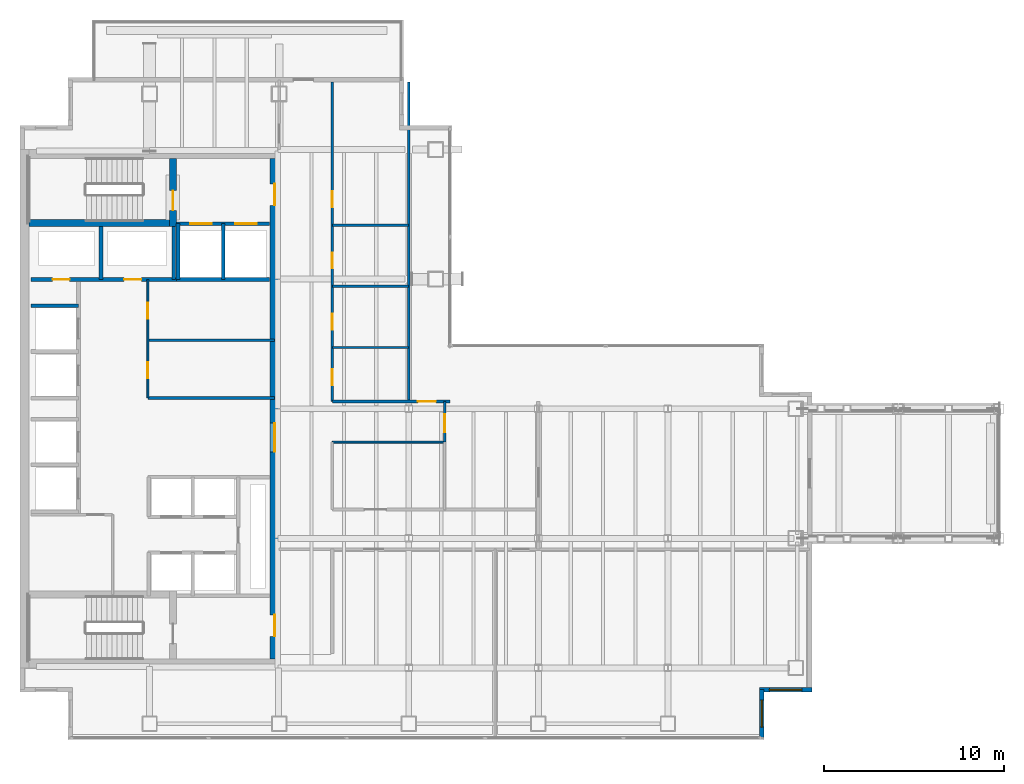
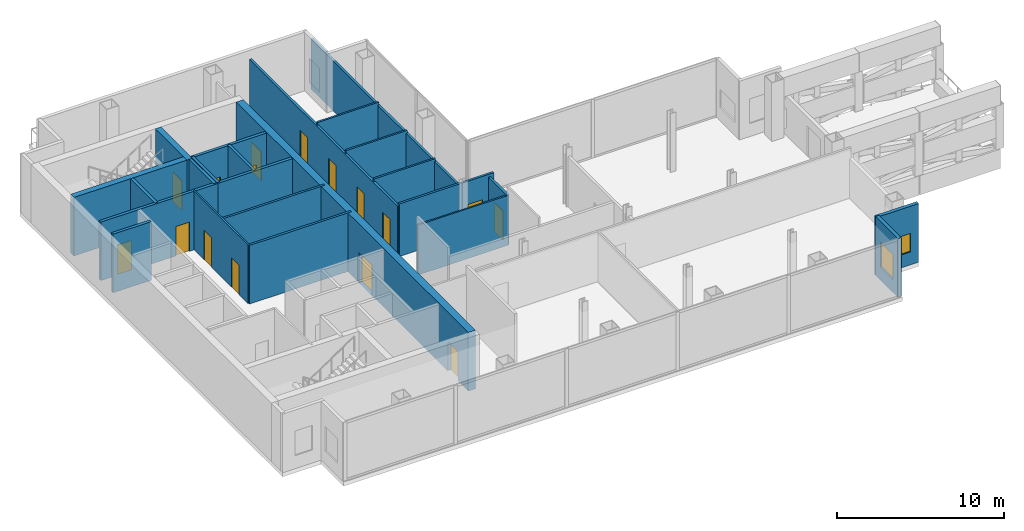
# One storey, part 17 of 20: 24 walls, 16 doors, 2 windows, 18 openings.
"""IFC4 building model written with IfcOpenShell, lengths in metres."""

from ifc_helpers import new_model, si_unit, direction, frame, frame_2d, origin, place, context, subcontext, project, spatial, rectangle, extrude, material, layer, layer_set, type_object, element, fill, save


model = new_model("IFC4")

# Units and contexts
model_context = context("Model", 3, precision=1e-05, world=origin(), true_north=direction((0.0, 1.0)))
body_context = subcontext(model_context, "Body", "Model", "MODEL_VIEW")
ifc_project = project(units=[si_unit("LENGTHUNIT", "METRE"), si_unit("AREAUNIT", "SQUARE_METRE"), si_unit("VOLUMEUNIT", "CUBIC_METRE"), si_unit("PLANEANGLEUNIT", "RADIAN"), si_unit("MASSUNIT", "GRAM", prefix="KILO")], contexts=[model_context])

# Site, building, storey
site_placement = place(None, origin())
site = spatial("IfcSite", under=ifc_project, at=site_placement, CompositionType="ELEMENT")
building_placement = place(site_placement, origin())
building = spatial("IfcBuilding", under=site, at=building_placement, Name="Cobrela Telecom Tower", CompositionType="ELEMENT")
storey_placement = place(building_placement, frame((0.0, 0.0, 168.699951171875)))
storey = spatial("IfcBuildingStorey", under=building, at=storey_placement, Name="L42", CompositionType="ELEMENT", Elevation=168.699951171875)

# Wall, openings, doors
ifc_material_1 = material(Name="Concrete C40/50", Category="concrete")
ifc_layer_1 = layer(ifc_material_1, 0.5)
ifc_layer_set_1 = layer_set([ifc_layer_1], Name="Concrete C40/50")
wall_type_1 = type_object("IfcWallType", Name="WALL-CORE-C40-500", PredefinedType="SHEAR", material=ifc_layer_set_1)
wall_1_placement = place(storey_placement, frame((14.14990234375, 35.5, 0.0), z_axis=(0.0, 0.0, 1.0), x_axis=(0.0, -1.0, 0.0)))
wall_1 = element("IfcWall", 1, at=wall_1_placement, inside=storey, type_object=wall_type_1, Name="L42 East Core Shear Wall", PredefinedType="SHEAR", context=body_context, shape_type="SweptSolid", body=[
    extrude(rectangle(XDim=27.800048828125, YDim=0.5, at=frame_2d((13.89990234375, 0.0))), origin(), (0.0, 0.0, 1.0), 4.2900390625),
])
opening_1_placement = place(wall_1_placement, frame((1.39990234375, 0.0, 0.0)))
opening_1 = element("IfcOpeningElement", 2, at=opening_1_placement, cuts=wall_1, Name="Opening DR-19", PredefinedType="OPENING", context=body_context, shape_type="SweptSolid", body=[
    extrude(rectangle(XDim=1.199951171875, YDim=2.14990234375, at=frame_2d((0.60009765625, 1.074951171875))), frame((0.0, 0.261962890625, 0.0), z_axis=(0.0, -1.0, 0.0), x_axis=(1.0, 0.0, 0.0)), (0.0, 0.0, 1.0), 0.52392578125),
])
opening_2_placement = place(wall_1_placement, frame((25.35009765625, 0.0, 0.0)))
opening_2 = element("IfcOpeningElement", 3, at=opening_2_placement, cuts=wall_1, Name="Opening DR-19", PredefinedType="OPENING", context=body_context, shape_type="SweptSolid", body=[
    extrude(rectangle(XDim=1.199951171875, YDim=2.14990234375, at=frame_2d((0.60009765625, 1.074951171875))), frame((0.0, 0.261962890625, 0.0), z_axis=(0.0, -1.0, 0.0), x_axis=(1.0, 0.0, 0.0)), (0.0, 0.0, 1.0), 0.52392578125),
])
opening_3_placement = place(wall_1_placement, frame((14.699951171875, 0.0, 0.0)))
opening_3 = element("IfcOpeningElement", 4, at=opening_3_placement, cuts=wall_1, Name="Opening DR-51", PredefinedType="OPENING", context=body_context, shape_type="SweptSolid", body=[
    extrude(rectangle(XDim=1.60009765625, YDim=2.199951171875, at=frame_2d((0.800048828125, 1.10009765625))), frame((0.0, 0.261962890625, 0.0), z_axis=(0.0, -1.0, 0.0), x_axis=(1.0, 0.0, 0.0)), (0.0, 0.0, 1.0), 0.52392578125),
])
ifc_material_2 = material(Name="Steel ASTM A36", Category="steel")
door_type_1 = type_object("IfcDoorType", Name="DOOR-FD60-1200", OperationType="SINGLE_SWING_LEFT", PredefinedType="DOOR", material=ifc_material_2)
door_1_placement = place(opening_1_placement, origin())
door_1 = element("IfcDoor", 5, at=door_1_placement, inside=storey, type_object=door_type_1, Name="L42 Door DR-19", OperationType="SINGLE_SWING_LEFT", OverallHeight=2.14990234375, OverallWidth=1.199951171875, PredefinedType="DOOR", context=body_context, shape_type="SweptSolid", body=[
    extrude(rectangle(XDim=1.199951171875, YDim=2.14990234375, at=frame_2d((0.60009765625, 1.074951171875))), frame((0.0, 0.02490234375, 0.0), z_axis=(0.0, -1.0, 0.0), x_axis=(1.0, 0.0, 0.0)), (0.0, 0.0, 1.0), 0.050048828125),
])
fill(opening_1, door_1)
door_2_placement = place(opening_2_placement, origin())
door_2 = element("IfcDoor", 6, at=door_2_placement, inside=storey, type_object=door_type_1, Name="L42 Door DR-19", OperationType="SINGLE_SWING_RIGHT", OverallHeight=2.14990234375, OverallWidth=1.199951171875, PredefinedType="DOOR", context=body_context, shape_type="SweptSolid", body=[
    extrude(rectangle(XDim=1.199951171875, YDim=2.14990234375, at=frame_2d((0.60009765625, 1.074951171875))), frame((0.0, 0.02490234375, 0.0), z_axis=(0.0, -1.0, 0.0), x_axis=(1.0, 0.0, 0.0)), (0.0, 0.0, 1.0), 0.050048828125),
])
fill(opening_2, door_2)
door_type_2 = type_object("IfcDoorType", Name="DOOR-FD60-1600", OperationType="SINGLE_SWING_LEFT", PredefinedType="DOOR", material=ifc_material_2)
door_3_placement = place(opening_3_placement, origin())
door_3 = element("IfcDoor", 7, at=door_3_placement, inside=storey, type_object=door_type_2, Name="L42 Door DR-51", OperationType="DOUBLE_DOOR_SINGLE_SWING", OverallHeight=2.199951171875, OverallWidth=1.60009765625, PredefinedType="DOOR", context=body_context, shape_type="SweptSolid", body=[
    extrude(rectangle(XDim=1.60009765625, YDim=2.199951171875, at=frame_2d((0.800048828125, 1.10009765625))), frame((0.0, 0.02490234375, 0.0), z_axis=(0.0, -1.0, 0.0), x_axis=(1.0, 0.0, 0.0)), (0.0, 0.0, 1.0), 0.050048828125),
])
fill(opening_3, door_3)

# Wall, opening, window
ifc_layer_2 = layer(ifc_material_1, 0.239990234375)
ifc_layer_set_2 = layer_set([ifc_layer_2], Name="Concrete C40/50")
wall_type_2 = type_object("IfcWallType", Name="WALL-EXT-300", PredefinedType="STANDARD", material=ifc_layer_set_2)
wall_2_placement = place(storey_placement, frame((44.0, 5.989990234375, 0.0), z_axis=(0.0, 0.0, 1.0), x_axis=(-1.0, 0.0, 0.0)))
wall_2 = element("IfcWall", 8, at=wall_2_placement, inside=storey, type_object=wall_type_2, Name="L42 Insulated Facade Wall 15", PredefinedType="STANDARD", context=body_context, shape_type="SweptSolid", body=[
    extrude(rectangle(XDim=2.909912109375, YDim=0.239990234375, at=frame_2d((1.455078125, 0.0))), origin(), (0.0, 0.0, 1.0), 4.2900390625),
])
opening_4_placement = place(wall_2_placement, frame((0.554931640625, 0.0, 0.949951171875)))
opening_4 = element("IfcOpeningElement", 9, at=opening_4_placement, cuts=wall_2, Name="Opening WN-27", PredefinedType="OPENING", context=body_context, shape_type="SweptSolid", body=[
    extrude(rectangle(XDim=1.800048828125, YDim=1.35009765625, at=frame_2d((0.89990234375, 0.675048828125))), frame((0.0, 0.1318359375, 0.0), z_axis=(0.0, -1.0, 0.0), x_axis=(1.0, 0.0, 0.0)), (0.0, 0.0, 1.0), 0.263916015625),
])
ifc_material_3 = material(Name="Solar-Control Bronze Low-E Glass", Category="glass")
window_type_1 = type_object("IfcWindowType", Name="WIN-CLER-1800", PartitioningType="SINGLE_PANEL", PredefinedType="WINDOW", material=ifc_material_3)
window_1_placement = place(opening_4_placement, origin())
window_1 = element("IfcWindow", 10, at=window_1_placement, inside=storey, type_object=window_type_1, Name="L42 Corner Notch Facade Window 207", OverallHeight=1.35009765625, OverallWidth=1.800048828125, PartitioningType="SINGLE_PANEL", PredefinedType="WINDOW", context=body_context, shape_type="SweptSolid", body=[
    extrude(rectangle(XDim=1.800048828125, YDim=1.35009765625, at=frame_2d((0.89990234375, 0.675048828125))), frame((0.0, 0.030029296875, 0.0), z_axis=(0.0, -1.0, 0.0), x_axis=(1.0, 0.0, 0.0)), (0.0, 0.0, 1.0), 0.06005859375),
])
fill(opening_4, window_1)

wall_3_placement = place(storey_placement, frame((41.2099609375, 5.989990234375, 0.0), z_axis=(0.0, 0.0, 1.0), x_axis=(0.0, -1.0, 0.0)))
wall_3 = element("IfcWall", 11, at=wall_3_placement, inside=storey, type_object=wall_type_2, Name="L42 Insulated Facade Wall 16", PredefinedType="STANDARD", context=body_context, shape_type="SweptSolid", body=[
    extrude(rectangle(XDim=2.669921875, YDim=0.239990234375, at=frame_2d((1.3349609375, 0.0))), origin(), (0.0, 0.0, 1.0), 4.2900390625),
])
opening_5_placement = place(wall_3_placement, frame((0.5849609375, 0.0, 0.949951171875)))
opening_5 = element("IfcOpeningElement", 12, at=opening_5_placement, cuts=wall_3, Name="Opening WN-45", PredefinedType="OPENING", context=body_context, shape_type="SweptSolid", body=[
    extrude(rectangle(XDim=1.5, YDim=1.800048828125, at=frame_2d((0.75, 0.89990234375))), frame((0.0, 0.1318359375, 0.0), z_axis=(0.0, -1.0, 0.0), x_axis=(1.0, 0.0, 0.0)), (0.0, 0.0, 1.0), 0.263916015625),
])
window_type_2 = type_object("IfcWindowType", Name="WIN-MOD-1500", PartitioningType="SINGLE_PANEL", PredefinedType="WINDOW", material=ifc_material_3)
window_2_placement = place(opening_5_placement, origin())
window_2 = element("IfcWindow", 13, at=window_2_placement, inside=storey, type_object=window_type_2, Name="L42 Corner Notch Facade Window 208", OverallHeight=1.800048828125, OverallWidth=1.5, PartitioningType="SINGLE_PANEL", PredefinedType="WINDOW", context=body_context, shape_type="SweptSolid", body=[
    extrude(rectangle(XDim=1.5, YDim=1.800048828125, at=frame_2d((0.75, 0.89990234375))), frame((0.0, 0.030029296875, 0.0), z_axis=(0.0, -1.0, 0.0), x_axis=(1.0, 0.0, 0.0)), (0.0, 0.0, 1.0), 0.06005859375),
])
fill(opening_5, window_2)

# Wall, openings, doors
ifc_material_4 = material(Name="Fire-Rated Gypsum Plasterboard")
ifc_layer_3 = layer(ifc_material_4, 0.110107421875)
ifc_layer_set_3 = layer_set([ifc_layer_3], Name="Fire-Rated Gypsum Plasterboard")
wall_type_3 = type_object("IfcWallType", Name="WALL-PART-110", PredefinedType="PARTITIONING", material=ifc_layer_set_3)
wall_4_placement = place(storey_placement, frame((7.10009765625, 22.199951171875, 0.0), z_axis=(0.0, 0.0, 1.0), x_axis=(0.0, 1.0, 0.0)))
wall_4 = element("IfcWall", 14, at=wall_4_placement, inside=storey, type_object=wall_type_3, Name="L42 Interior Partition CW-RECL-W", PredefinedType="PARTITIONING", context=body_context, shape_type="SweptSolid", body=[
    extrude(rectangle(XDim=6.580078125, YDim=0.110107421875, at=frame_2d((3.2900390625, 0.0))), origin(), (0.0, 0.0, 1.0), 4.2900390625),
])
opening_6_placement = place(wall_4_placement, frame((1.10009765625, 0.0, 0.0)))
opening_6 = element("IfcOpeningElement", 15, at=opening_6_placement, cuts=wall_4, Name="Opening DR-39", PredefinedType="OPENING", context=body_context, shape_type="SweptSolid", body=[
    extrude(rectangle(XDim=0.8798828125, YDim=2.14990234375, at=frame_2d((0.43994140625, 1.074951171875))), frame((0.0, 0.06689453125, 0.0), z_axis=(0.0, -1.0, 0.0), x_axis=(1.0, 0.0, 0.0)), (0.0, 0.0, 1.0), 0.134033203125),
])
opening_7_placement = place(wall_4_placement, frame((4.39990234375, 0.0, 0.0)))
opening_7 = element("IfcOpeningElement", 16, at=opening_7_placement, cuts=wall_4, Name="Opening DR-39", PredefinedType="OPENING", context=body_context, shape_type="SweptSolid", body=[
    extrude(rectangle(XDim=0.8798828125, YDim=2.14990234375, at=frame_2d((0.43994140625, 1.074951171875))), frame((0.0, 0.06689453125, 0.0), z_axis=(0.0, -1.0, 0.0), x_axis=(1.0, 0.0, 0.0)), (0.0, 0.0, 1.0), 0.134033203125),
])
ifc_material_5 = material(Name="Solid Engineered Oak Timber", Category="wood")
door_type_3 = type_object("IfcDoorType", Name="DOOR-INT-880", OperationType="SINGLE_SWING_LEFT", PredefinedType="DOOR", material=ifc_material_5)
door_4_placement = place(opening_6_placement, origin())
door_4 = element("IfcDoor", 17, at=door_4_placement, inside=storey, type_object=door_type_3, Name="L42 Door DR-39", OperationType="SINGLE_SWING_RIGHT", OverallHeight=2.14990234375, OverallWidth=0.8798828125, PredefinedType="DOOR", context=body_context, shape_type="SweptSolid", body=[
    extrude(rectangle(XDim=0.8798828125, YDim=2.14990234375, at=frame_2d((0.43994140625, 1.074951171875))), frame((0.0, 0.02490234375, 0.0), z_axis=(0.0, -1.0, 0.0), x_axis=(1.0, 0.0, 0.0)), (0.0, 0.0, 1.0), 0.050048828125),
])
fill(opening_6, door_4)
door_5_placement = place(opening_7_placement, origin())
door_5 = element("IfcDoor", 18, at=door_5_placement, inside=storey, type_object=door_type_3, Name="L42 Door DR-39", OperationType="SINGLE_SWING_LEFT", OverallHeight=2.14990234375, OverallWidth=0.8798828125, PredefinedType="DOOR", context=body_context, shape_type="SweptSolid", body=[
    extrude(rectangle(XDim=0.8798828125, YDim=2.14990234375, at=frame_2d((0.43994140625, 1.074951171875))), frame((0.0, 0.02490234375, 0.0), z_axis=(0.0, -1.0, 0.0), x_axis=(1.0, 0.0, 0.0)), (0.0, 0.0, 1.0), 0.050048828125),
])
fill(opening_7, door_5)

# Walls
wall_5_placement = place(storey_placement, frame((17.35009765625, 19.75, 0.0), z_axis=(0.0, 0.0, 1.0), x_axis=(1.0, 0.0, 0.0)))
element("IfcWall", 19, at=wall_5_placement, inside=storey, type_object=wall_type_3, Name="L42 Interior Partition W-SKY-LOBS", PredefinedType="PARTITIONING", context=body_context, shape_type="SweptSolid", body=[
    extrude(rectangle(XDim=6.25, YDim=0.110107421875, at=frame_2d((3.125, 0.0))), origin(), (0.0, 0.0, 1.0), 3.653076171875),
])
ifc_layer_4 = layer(ifc_material_4, 0.125)
ifc_layer_set_4 = layer_set([ifc_layer_4], Name="Fire-Rated Gypsum Plasterboard")
wall_type_4 = type_object("IfcWallType", Name="WALL-PART-125", PredefinedType="PARTITIONING", material=ifc_layer_set_4)
for number, where, z_axis, x_axis, name in (
    (20, (17.35009765625, 25.0, 0.0), (0.0, 0.0, 1.0), (1.0, 0.0, 0.0), "L42 Interior Partition W-SKWC-1"),
    (21, (17.35009765625, 28.39990234375, 0.0), (0.0, 0.0, 1.0), (1.0, 0.0, 0.0), "L42 Interior Partition W-SKWC-2"),
    (22, (17.35009765625, 31.800048828125, 0.0), (0.0, 0.0, 1.0), (1.0, 0.0, 0.0), "L42 Interior Partition W-SKWC-3"),
):
    element("IfcWall", number, at=place(storey_placement, frame(where, z_axis=z_axis, x_axis=x_axis)), inside=storey, type_object=wall_type_4, Name=name, PredefinedType="PARTITIONING", context=body_context, shape_type="SweptSolid", body=[
        extrude(rectangle(XDim=4.25, YDim=0.125, at=frame_2d((2.125, 0.0))), origin(), (0.0, 0.0, 1.0), 3.858154296875),
    ])
ifc_layer_5 = layer(ifc_material_4, 0.14990234375)
ifc_layer_set_5 = layer_set([ifc_layer_5], Name="Fire-Rated Gypsum Plasterboard")
wall_type_5 = type_object("IfcWallType", Name="WALL-PART-150", PredefinedType="PARTITIONING", material=ifc_layer_set_5)
wall_6_placement = place(storey_placement, frame((7.10009765625, 25.39990234375, 0.0), z_axis=(0.0, 0.0, 1.0), x_axis=(1.0, 0.0, 0.0)))
element("IfcWall", 23, at=wall_6_placement, inside=storey, type_object=wall_type_5, Name="L42 Interior Partition CW-RECL-H", PredefinedType="PARTITIONING", context=body_context, shape_type="SweptSolid", body=[
    extrude(rectangle(XDim=7.0498046875, YDim=0.14990234375, at=frame_2d((3.52490234375, 0.0))), origin(), (0.0, 0.0, 1.0), 4.2900390625),
])

# Wall, opening, door
wall_7_placement = place(storey_placement, frame((17.35009765625, 22.0, 0.0), z_axis=(0.0, 0.0, 1.0), x_axis=(1.0, 0.0, 0.0)))
wall_7 = element("IfcWall", 24, at=wall_7_placement, inside=storey, type_object=wall_type_5, Name="L42 Interior Partition W-SKY-H1", PredefinedType="PARTITIONING", context=body_context, shape_type="SweptSolid", body=[
    extrude(rectangle(XDim=6.52978515625, YDim=0.14990234375, at=frame_2d((3.264892578125, 0.0))), origin(), (0.0, 0.0, 1.0), 3.858154296875),
])
opening_8_placement = place(wall_7_placement, frame((4.760009765625, 0.0, 0.0)))
opening_8 = element("IfcOpeningElement", 25, at=opening_8_placement, cuts=wall_7, Name="Opening DR-31", PredefinedType="OPENING", context=body_context, shape_type="SweptSolid", body=[
    extrude(rectangle(XDim=1.0, YDim=2.14990234375, at=frame_2d((0.5, 1.074951171875))), frame((0.0, 0.0869140625, 0.0), z_axis=(0.0, -1.0, 0.0), x_axis=(1.0, 0.0, 0.0)), (0.0, 0.0, 1.0), 0.173828125),
])
door_type_4 = type_object("IfcDoorType", Name="DOOR-INT-1000", OperationType="SINGLE_SWING_LEFT", PredefinedType="DOOR", material=ifc_material_5)
door_6_placement = place(opening_8_placement, origin())
door_6 = element("IfcDoor", 26, at=door_6_placement, inside=storey, type_object=door_type_4, Name="L42 Door DR-31", OperationType="SINGLE_SWING_LEFT", OverallHeight=2.14990234375, OverallWidth=1.0, PredefinedType="DOOR", context=body_context, shape_type="SweptSolid", body=[
    extrude(rectangle(XDim=1.0, YDim=2.14990234375, at=frame_2d((0.5, 1.074951171875))), frame((0.0, 0.02490234375, 0.0), z_axis=(0.0, -1.0, 0.0), x_axis=(1.0, 0.0, 0.0)), (0.0, 0.0, 1.0), 0.050048828125),
])
fill(opening_8, door_6)

# Wall
ifc_layer_6 = layer(ifc_material_4, 0.159912109375)
ifc_layer_set_6 = layer_set([ifc_layer_6], Name="Fire-Rated Gypsum Plasterboard")
wall_type_6 = type_object("IfcWallType", Name="WALL-PART-160", PredefinedType="PARTITIONING", material=ifc_layer_set_6)
wall_8_placement = place(storey_placement, frame((7.10009765625, 22.199951171875, 0.0), z_axis=(0.0, 0.0, 1.0), x_axis=(1.0, 0.0, 0.0)))
element("IfcWall", 27, at=wall_8_placement, inside=storey, type_object=wall_type_6, Name="L42 Interior Partition CW-RECL-S", PredefinedType="PARTITIONING", context=body_context, shape_type="SweptSolid", body=[
    extrude(rectangle(XDim=7.0498046875, YDim=0.159912109375, at=frame_2d((3.52490234375, 0.0))), origin(), (0.0, 0.0, 1.0), 4.2900390625),
])

# Wall, openings, doors
wall_9_placement = place(storey_placement, frame((17.35009765625, 22.0, 0.0), z_axis=(0.0, 0.0, 1.0), x_axis=(0.0, 1.0, 0.0)))
wall_9 = element("IfcWall", 28, at=wall_9_placement, inside=storey, type_object=wall_type_6, Name="L42 Interior Partition W-SKY-W", PredefinedType="PARTITIONING", context=body_context, shape_type="SweptSolid", body=[
    extrude(rectangle(XDim=17.760009765625, YDim=0.159912109375, at=frame_2d((8.8798828125, 0.0))), origin(), (0.0, 0.0, 1.0), 3.653076171875),
])
opening_9_placement = place(wall_9_placement, frame((0.89990234375, 0.0, 0.0)))
opening_9 = element("IfcOpeningElement", 29, at=opening_9_placement, cuts=wall_9, Name="Opening DR-41", PredefinedType="OPENING", context=body_context, shape_type="SweptSolid", body=[
    extrude(rectangle(XDim=0.89990234375, YDim=2.14990234375, at=frame_2d((0.449951171875, 1.074951171875))), frame((0.0, 0.091796875, 0.0), z_axis=(0.0, -1.0, 0.0), x_axis=(1.0, 0.0, 0.0)), (0.0, 0.0, 1.0), 0.183837890625),
])
opening_10_placement = place(wall_9_placement, frame((4.0, 0.0, 0.0)))
opening_10 = element("IfcOpeningElement", 30, at=opening_10_placement, cuts=wall_9, Name="Opening DR-39", PredefinedType="OPENING", context=body_context, shape_type="SweptSolid", body=[
    extrude(rectangle(XDim=0.8798828125, YDim=2.14990234375, at=frame_2d((0.43994140625, 1.074951171875))), frame((0.0, 0.091796875, 0.0), z_axis=(0.0, -1.0, 0.0), x_axis=(1.0, 0.0, 0.0)), (0.0, 0.0, 1.0), 0.183837890625),
])
opening_11_placement = place(wall_9_placement, frame((7.39990234375, 0.0, 0.0)))
opening_11 = element("IfcOpeningElement", 31, at=opening_11_placement, cuts=wall_9, Name="Opening DR-39", PredefinedType="OPENING", context=body_context, shape_type="SweptSolid", body=[
    extrude(rectangle(XDim=0.8798828125, YDim=2.14990234375, at=frame_2d((0.43994140625, 1.074951171875))), frame((0.0, 0.091796875, 0.0), z_axis=(0.0, -1.0, 0.0), x_axis=(1.0, 0.0, 0.0)), (0.0, 0.0, 1.0), 0.183837890625),
])
opening_12_placement = place(wall_9_placement, frame((10.800048828125, 0.0, 0.0)))
opening_12 = element("IfcOpeningElement", 32, at=opening_12_placement, cuts=wall_9, Name="Opening DR-39", PredefinedType="OPENING", context=body_context, shape_type="SweptSolid", body=[
    extrude(rectangle(XDim=0.8798828125, YDim=2.14990234375, at=frame_2d((0.43994140625, 1.074951171875))), frame((0.0, 0.091796875, 0.0), z_axis=(0.0, -1.0, 0.0), x_axis=(1.0, 0.0, 0.0)), (0.0, 0.0, 1.0), 0.183837890625),
])
door_7_placement = place(opening_10_placement, origin())
door_7 = element("IfcDoor", 33, at=door_7_placement, inside=storey, type_object=door_type_3, Name="L42 Door DR-39", OperationType="SINGLE_SWING_RIGHT", OverallHeight=2.14990234375, OverallWidth=0.8798828125, PredefinedType="DOOR", context=body_context, shape_type="SweptSolid", body=[
    extrude(rectangle(XDim=0.8798828125, YDim=2.14990234375, at=frame_2d((0.43994140625, 1.074951171875))), frame((0.0, 0.02490234375, 0.0), z_axis=(0.0, -1.0, 0.0), x_axis=(1.0, 0.0, 0.0)), (0.0, 0.0, 1.0), 0.050048828125),
])
fill(opening_10, door_7)
door_8_placement = place(opening_11_placement, origin())
door_8 = element("IfcDoor", 34, at=door_8_placement, inside=storey, type_object=door_type_3, Name="L42 Door DR-39", OperationType="SINGLE_SWING_LEFT", OverallHeight=2.14990234375, OverallWidth=0.8798828125, PredefinedType="DOOR", context=body_context, shape_type="SweptSolid", body=[
    extrude(rectangle(XDim=0.8798828125, YDim=2.14990234375, at=frame_2d((0.43994140625, 1.074951171875))), frame((0.0, 0.02490234375, 0.0), z_axis=(0.0, -1.0, 0.0), x_axis=(1.0, 0.0, 0.0)), (0.0, 0.0, 1.0), 0.050048828125),
])
fill(opening_11, door_8)
door_9_placement = place(opening_12_placement, origin())
door_9 = element("IfcDoor", 35, at=door_9_placement, inside=storey, type_object=door_type_3, Name="L42 Door DR-39", OperationType="SINGLE_SWING_RIGHT", OverallHeight=2.14990234375, OverallWidth=0.8798828125, PredefinedType="DOOR", context=body_context, shape_type="SweptSolid", body=[
    extrude(rectangle(XDim=0.8798828125, YDim=2.14990234375, at=frame_2d((0.43994140625, 1.074951171875))), frame((0.0, 0.02490234375, 0.0), z_axis=(0.0, -1.0, 0.0), x_axis=(1.0, 0.0, 0.0)), (0.0, 0.0, 1.0), 0.050048828125),
])
fill(opening_12, door_9)
door_type_5 = type_object("IfcDoorType", Name="DOOR-INT-900", OperationType="SINGLE_SWING_LEFT", PredefinedType="DOOR", material=ifc_material_5)
door_10_placement = place(opening_9_placement, origin())
door_10 = element("IfcDoor", 36, at=door_10_placement, inside=storey, type_object=door_type_5, Name="L42 Door DR-41", OperationType="SINGLE_SWING_LEFT", OverallHeight=2.14990234375, OverallWidth=0.89990234375, PredefinedType="DOOR", context=body_context, shape_type="SweptSolid", body=[
    extrude(rectangle(XDim=0.89990234375, YDim=2.14990234375, at=frame_2d((0.449951171875, 1.074951171875))), frame((0.0, 0.02490234375, 0.0), z_axis=(0.0, -1.0, 0.0), x_axis=(1.0, 0.0, 0.0)), (0.0, 0.0, 1.0), 0.050048828125),
])
fill(opening_9, door_10)

# Wall
wall_10_placement = place(storey_placement, frame((21.60009765625, 22.0, 0.0), z_axis=(0.0, 0.0, 1.0), x_axis=(0.0, 1.0, 0.0)))
element("IfcWall", 37, at=wall_10_placement, inside=storey, type_object=wall_type_6, Name="L42 Interior Partition W-SKWC-E", PredefinedType="PARTITIONING", context=body_context, shape_type="SweptSolid", body=[
    extrude(rectangle(XDim=17.760009765625, YDim=0.159912109375, at=frame_2d((8.8798828125, 0.0))), origin(), (0.0, 0.0, 1.0), 3.653076171875),
])

# Wall, opening, door
wall_11_placement = place(storey_placement, frame((23.60009765625, 19.75, 0.0), z_axis=(0.0, 0.0, 1.0), x_axis=(0.0, 1.0, 0.0)))
wall_11 = element("IfcWall", 38, at=wall_11_placement, inside=storey, type_object=wall_type_6, Name="L42 Interior Partition W-SKY-LOBW", PredefinedType="PARTITIONING", context=body_context, shape_type="SweptSolid", body=[
    extrude(rectangle(XDim=2.25, YDim=0.159912109375, at=frame_2d((1.125, 0.0))), origin(), (0.0, 0.0, 1.0), 3.653076171875),
])
opening_13_placement = place(wall_11_placement, frame((0.550048828125, 0.0, 0.0)))
opening_13 = element("IfcOpeningElement", 39, at=opening_13_placement, cuts=wall_11, Name="Opening DR-31", PredefinedType="OPENING", context=body_context, shape_type="SweptSolid", body=[
    extrude(rectangle(XDim=1.0, YDim=2.14990234375, at=frame_2d((0.5, 1.074951171875))), frame((0.0, 0.091796875, 0.0), z_axis=(0.0, -1.0, 0.0), x_axis=(1.0, 0.0, 0.0)), (0.0, 0.0, 1.0), 0.183837890625),
])
door_11_placement = place(opening_13_placement, origin())
door_11 = element("IfcDoor", 40, at=door_11_placement, inside=storey, type_object=door_type_4, Name="L42 Door DR-31", OperationType="SINGLE_SWING_RIGHT", OverallHeight=2.14990234375, OverallWidth=1.0, PredefinedType="DOOR", context=body_context, shape_type="SweptSolid", body=[
    extrude(rectangle(XDim=1.0, YDim=2.14990234375, at=frame_2d((0.5, 1.074951171875))), frame((0.0, 0.02490234375, 0.0), z_axis=(0.0, -1.0, 0.0), x_axis=(1.0, 0.0, 0.0)), (0.0, 0.0, 1.0), 0.050048828125),
])
fill(opening_13, door_11)

# Wall, openings, doors
ifc_layer_7 = layer(ifc_material_4, 0.199951171875)
ifc_layer_set_7 = layer_set([ifc_layer_7], Name="Fire-Rated Gypsum Plasterboard")
wall_type_7 = type_object("IfcWallType", Name="WALL-SHAFT-200", PredefinedType="PARTITIONING", material=ifc_layer_set_7)
wall_12_placement = place(storey_placement, frame((8.699951171875, 31.8798828125, 0.0), z_axis=(0.0, 0.0, 1.0), x_axis=(1.0, 0.0, 0.0)))
wall_12 = element("IfcWall", 41, at=wall_12_placement, inside=storey, type_object=wall_type_7, Name="L42 Shaft Enclosure CW-FFL-S", PredefinedType="PARTITIONING", context=body_context, shape_type="SweptSolid", body=[
    extrude(rectangle(XDim=5.150146484375, YDim=0.199951171875, at=frame_2d((2.5751953125, 0.0))), origin(), (0.0, 0.0, 1.0), 4.2900390625),
])
opening_14_placement = place(wall_12_placement, frame((0.75, 0.0, 0.0)))
opening_14 = element("IfcOpeningElement", 42, at=opening_14_placement, cuts=wall_12, Name="Opening LD-2", PredefinedType="OPENING", context=body_context, shape_type="SweptSolid", body=[
    extrude(rectangle(XDim=1.199951171875, YDim=2.199951171875, at=frame_2d((0.60009765625, 1.10009765625))), frame((0.0, 0.11181640625, 0.0), z_axis=(0.0, -1.0, 0.0), x_axis=(1.0, 0.0, 0.0)), (0.0, 0.0, 1.0), 0.223876953125),
])
opening_15_placement = place(wall_12_placement, frame((3.25, 0.0, 0.0)))
opening_15 = element("IfcOpeningElement", 43, at=opening_15_placement, cuts=wall_12, Name="Opening LD-2", PredefinedType="OPENING", context=body_context, shape_type="SweptSolid", body=[
    extrude(rectangle(XDim=1.199951171875, YDim=2.199951171875, at=frame_2d((0.60009765625, 1.10009765625))), frame((0.0, 0.11181640625, 0.0), z_axis=(0.0, -1.0, 0.0), x_axis=(1.0, 0.0, 0.0)), (0.0, 0.0, 1.0), 0.223876953125),
])
door_type_6 = type_object("IfcDoorType", Name="DOOR-LD-FFL", OperationType="SINGLE_SWING_LEFT", PredefinedType="DOOR", material=ifc_material_2)
door_12_placement = place(opening_14_placement, origin())
door_12 = element("IfcDoor", 44, at=door_12_placement, inside=storey, type_object=door_type_6, Name="L42 Lift Landing Door LD-2", OperationType="DOUBLE_DOOR_SLIDING", OverallHeight=2.199951171875, OverallWidth=1.199951171875, PredefinedType="DOOR", context=body_context, shape_type="SweptSolid", body=[
    extrude(rectangle(XDim=1.199951171875, YDim=2.199951171875, at=frame_2d((0.60009765625, 1.10009765625))), frame((0.0, 0.02490234375, 0.0), z_axis=(0.0, -1.0, 0.0), x_axis=(1.0, 0.0, 0.0)), (0.0, 0.0, 1.0), 0.050048828125),
])
fill(opening_14, door_12)
door_13_placement = place(opening_15_placement, origin())
door_13 = element("IfcDoor", 45, at=door_13_placement, inside=storey, type_object=door_type_6, Name="L42 Lift Landing Door LD-2", OperationType="DOUBLE_DOOR_SLIDING", OverallHeight=2.199951171875, OverallWidth=1.199951171875, PredefinedType="DOOR", context=body_context, shape_type="SweptSolid", body=[
    extrude(rectangle(XDim=1.199951171875, YDim=2.199951171875, at=frame_2d((0.60009765625, 1.10009765625))), frame((0.0, 0.02490234375, 0.0), z_axis=(0.0, -1.0, 0.0), x_axis=(1.0, 0.0, 0.0)), (0.0, 0.0, 1.0), 0.050048828125),
])
fill(opening_15, door_13)

# Walls
wall_13_placement = place(storey_placement, frame((8.699951171875, 28.780029296875, 0.0), z_axis=(0.0, 0.0, 1.0), x_axis=(1.0, 0.0, 0.0)))
element("IfcWall", 46, at=wall_13_placement, inside=storey, type_object=wall_type_7, Name="L42 Shaft Enclosure CW-FFL-S2", PredefinedType="PARTITIONING", context=body_context, shape_type="SweptSolid", body=[
    extrude(rectangle(XDim=5.150146484375, YDim=0.199951171875, at=frame_2d((2.5751953125, 0.0))), origin(), (0.0, 0.0, 1.0), 4.2900390625),
])
for number, where, z_axis, x_axis, name in (
    (47, (8.780029296875, 28.780029296875, 0.0), (0.0, 0.0, 1.0), (0.0, 1.0, 0.0), "L42 Shaft Enclosure CW-FFL-W"),
    (48, (11.300048828125, 28.780029296875, 0.0), (0.0, 0.0, 1.0), (0.0, 1.0, 0.0), "L42 Shaft Enclosure CW-FFL-M"),
):
    element("IfcWall", number, at=place(storey_placement, frame(where, z_axis=z_axis, x_axis=x_axis)), inside=storey, type_object=wall_type_7, Name=name, PredefinedType="PARTITIONING", context=body_context, shape_type="SweptSolid", body=[
        extrude(rectangle(XDim=3.099853515625, YDim=0.199951171875, at=frame_2d((1.5498046875, 0.0))), origin(), (0.0, 0.0, 1.0), 4.2900390625),
    ])

# Wall, openings, doors
wall_14_placement = place(storey_placement, frame((0.60009765625, 28.780029296875, 0.0), z_axis=(0.0, 0.0, 1.0), x_axis=(1.0, 0.0, 0.0)))
wall_14 = element("IfcWall", 49, at=wall_14_placement, inside=storey, type_object=wall_type_7, Name="L42 Shaft Enclosure CW-RIS-S", PredefinedType="PARTITIONING", context=body_context, shape_type="SweptSolid", body=[
    extrude(rectangle(XDim=8.179931640625, YDim=0.199951171875, at=frame_2d((4.08984375, 0.0))), origin(), (0.0, 0.0, 1.0), 4.2900390625),
])
opening_16_placement = place(wall_14_placement, frame((1.2099609375, 0.0, 0.0)))
opening_16 = element("IfcOpeningElement", 50, at=opening_16_placement, cuts=wall_14, Name="Opening DR-65", PredefinedType="OPENING", context=body_context, shape_type="SweptSolid", body=[
    extrude(rectangle(XDim=0.949951171875, YDim=2.14990234375, at=frame_2d((0.47509765625, 1.074951171875))), frame((0.0, 0.11181640625, 0.0), z_axis=(0.0, -1.0, 0.0), x_axis=(1.0, 0.0, 0.0)), (0.0, 0.0, 1.0), 0.223876953125),
])
opening_17_placement = place(wall_14_placement, frame((5.18994140625, 0.0, 0.0)))
opening_17 = element("IfcOpeningElement", 51, at=opening_17_placement, cuts=wall_14, Name="Opening DR-65", PredefinedType="OPENING", context=body_context, shape_type="SweptSolid", body=[
    extrude(rectangle(XDim=0.949951171875, YDim=2.14990234375, at=frame_2d((0.47509765625, 1.074951171875))), frame((0.0, 0.11181640625, 0.0), z_axis=(0.0, -1.0, 0.0), x_axis=(1.0, 0.0, 0.0)), (0.0, 0.0, 1.0), 0.223876953125),
])
door_type_7 = type_object("IfcDoorType", Name="DOOR-FD60-950", OperationType="SINGLE_SWING_LEFT", PredefinedType="DOOR", material=ifc_material_2)
door_14_placement = place(opening_16_placement, origin())
door_14 = element("IfcDoor", 52, at=door_14_placement, inside=storey, type_object=door_type_7, Name="L42 Door DR-65", OperationType="SINGLE_SWING_LEFT", OverallHeight=2.14990234375, OverallWidth=0.949951171875, PredefinedType="DOOR", context=body_context, shape_type="SweptSolid", body=[
    extrude(rectangle(XDim=0.949951171875, YDim=2.14990234375, at=frame_2d((0.47509765625, 1.074951171875))), frame((0.0, 0.02490234375, 0.0), z_axis=(0.0, -1.0, 0.0), x_axis=(1.0, 0.0, 0.0)), (0.0, 0.0, 1.0), 0.050048828125),
])
fill(opening_16, door_14)
door_15_placement = place(opening_17_placement, origin())
door_15 = element("IfcDoor", 53, at=door_15_placement, inside=storey, type_object=door_type_7, Name="L42 Door DR-65", OperationType="SINGLE_SWING_RIGHT", OverallHeight=2.14990234375, OverallWidth=0.949951171875, PredefinedType="DOOR", context=body_context, shape_type="SweptSolid", body=[
    extrude(rectangle(XDim=0.949951171875, YDim=2.14990234375, at=frame_2d((0.47509765625, 1.074951171875))), frame((0.0, 0.02490234375, 0.0), z_axis=(0.0, -1.0, 0.0), x_axis=(1.0, 0.0, 0.0)), (0.0, 0.0, 1.0), 0.050048828125),
])
fill(opening_17, door_15)

# Walls
for number, where, z_axis, x_axis, name in (
    (54, (4.5, 28.780029296875, 0.0), (0.0, 0.0, 1.0), (0.0, 1.0, 0.0), "L42 Shaft Enclosure CW-RIS-M"),
    (55, (8.550048828125, 28.780029296875, 0.0), (0.0, 0.0, 1.0), (0.0, 1.0, 0.0), "L42 Shaft Enclosure CW-RIS-E"),
):
    element("IfcWall", number, at=place(storey_placement, frame(where, z_axis=z_axis, x_axis=x_axis)), inside=storey, type_object=wall_type_7, Name=name, PredefinedType="PARTITIONING", context=body_context, shape_type="SweptSolid", body=[
        extrude(rectangle(XDim=2.93994140625, YDim=0.199951171875, at=frame_2d((1.469970703125, 0.0))), origin(), (0.0, 0.0, 1.0), 4.2900390625),
    ])
wall_15_placement = place(storey_placement, frame((0.60009765625, 27.320068359375, 0.0), z_axis=(0.0, 0.0, 1.0), x_axis=(1.0, 0.0, 0.0)))
element("IfcWall", 56, at=wall_15_placement, inside=storey, type_object=wall_type_7, Name="L42 Shaft Enclosure CW-PLH-TOP", PredefinedType="PARTITIONING", context=body_context, shape_type="SweptSolid", body=[
    extrude(rectangle(XDim=2.64990234375, YDim=0.199951171875, at=frame_2d((1.324951171875, 0.0))), origin(), (0.0, 0.0, 1.0), 4.2900390625),
])
ifc_layer_8 = layer(ifc_material_1, 0.39990234375)
ifc_layer_set_8 = layer_set([ifc_layer_8], Name="Concrete C40/50")
wall_type_8 = type_object("IfcWallType", Name="WALL-SHAFT-C40-400", PredefinedType="SHEAR", material=ifc_layer_set_8)
wall_16_placement = place(storey_placement, frame((0.5, 31.919921875, 0.0), z_axis=(0.0, 0.0, 1.0), x_axis=(1.0, 0.0, 0.0)))
element("IfcWall", 57, at=wall_16_placement, inside=storey, type_object=wall_type_8, Name="L42 North Stair Shear Wall", PredefinedType="SHEAR", context=body_context, shape_type="SweptSolid", body=[
    extrude(rectangle(XDim=7.800048828125, YDim=0.39990234375, at=frame_2d((3.89990234375, 0.0))), origin(), (0.0, 0.0, 1.0), 4.2900390625),
])

# Wall, opening, door
wall_17_placement = place(storey_placement, frame((8.5, 31.719970703125, 0.0), z_axis=(0.0, 0.0, 1.0), x_axis=(0.0, 1.0, 0.0)))
wall_17 = element("IfcWall", 58, at=wall_17_placement, inside=storey, type_object=wall_type_8, Name="L42 North Stair Lobby Shear Wall", PredefinedType="SHEAR", context=body_context, shape_type="SweptSolid", body=[
    extrude(rectangle(XDim=3.780029296875, YDim=0.39990234375, at=frame_2d((1.89013671875, 0.0))), origin(), (0.0, 0.0, 1.0), 4.2900390625),
])
opening_18_placement = place(wall_17_placement, frame((0.89990234375, 0.0, 0.0)))
opening_18 = element("IfcOpeningElement", 59, at=opening_18_placement, cuts=wall_17, Name="Opening DR-59", PredefinedType="OPENING", context=body_context, shape_type="SweptSolid", body=[
    extrude(rectangle(XDim=1.10009765625, YDim=2.14990234375, at=frame_2d((0.550048828125, 1.074951171875))), frame((0.0, 0.2119140625, 0.0), z_axis=(0.0, -1.0, 0.0), x_axis=(1.0, 0.0, 0.0)), (0.0, 0.0, 1.0), 0.423828125),
])
door_type_8 = type_object("IfcDoorType", Name="DOOR-FD60-1100", OperationType="SINGLE_SWING_LEFT", PredefinedType="DOOR", material=ifc_material_2)
door_16_placement = place(opening_18_placement, origin())
door_16 = element("IfcDoor", 60, at=door_16_placement, inside=storey, type_object=door_type_8, Name="L42 Door DR-59", OperationType="SINGLE_SWING_RIGHT", OverallHeight=2.14990234375, OverallWidth=1.10009765625, PredefinedType="DOOR", context=body_context, shape_type="SweptSolid", body=[
    extrude(rectangle(XDim=1.10009765625, YDim=2.14990234375, at=frame_2d((0.550048828125, 1.074951171875))), frame((0.0, 0.02490234375, 0.0), z_axis=(0.0, -1.0, 0.0), x_axis=(1.0, 0.0, 0.0)), (0.0, 0.0, 1.0), 0.050048828125),
])
fill(opening_18, door_16)

save(model, "model.ifc")
